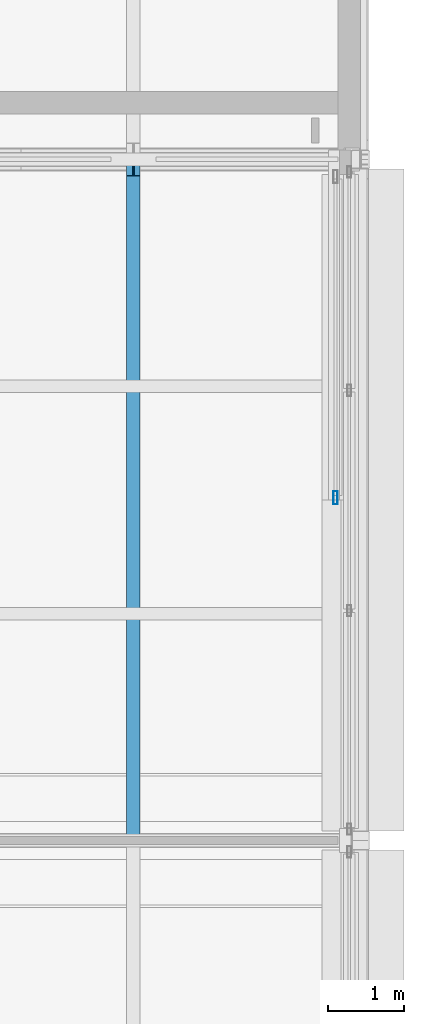
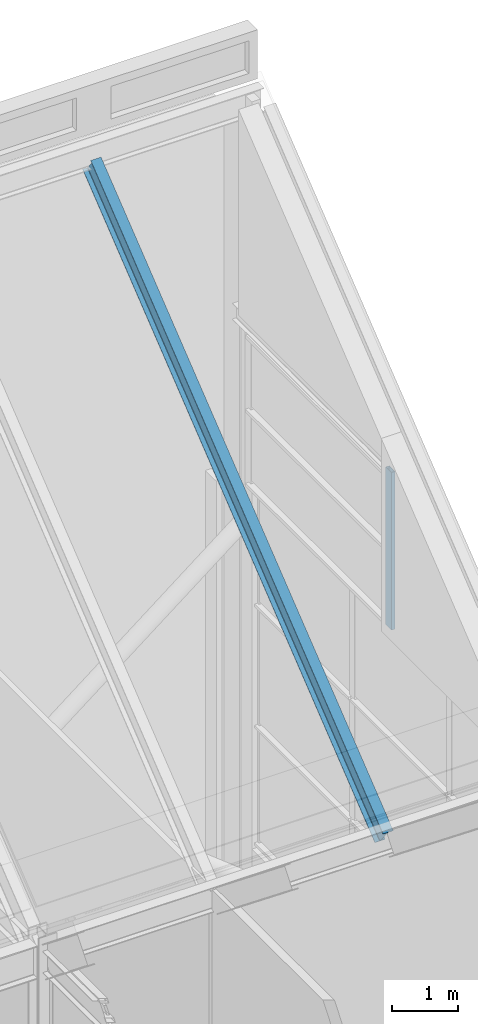
# One storey, part 86 of 144: 2 members, 1 element without a shape of its own.
"""IFC4 building model written with IfcOpenShell, lengths in metres."""

from ifc_helpers import new_model, si_unit, direction, frame, origin, origin_2d, place, context, subcontext, project, spatial, hollow_rectangle, i_section, extrude, material, layer, layer_set, material_profile, profile_set, type_object, element, aggregate, save


model = new_model("IFC4")

# Units and contexts
model_context = context("Model", 3, precision=1e-05, world=origin(), true_north=direction((0.0, 1.0)))
body_context = subcontext(model_context, "Body", "Model", "MODEL_VIEW")
ifc_project = project(units=[si_unit("LENGTHUNIT", "METRE"), si_unit("AREAUNIT", "SQUARE_METRE"), si_unit("VOLUMEUNIT", "CUBIC_METRE"), si_unit("PLANEANGLEUNIT", "RADIAN"), si_unit("MASSUNIT", "GRAM", prefix="KILO")], contexts=[model_context])

# Site, building, storey
site_placement = place(None, origin())
site = spatial("IfcSite", under=ifc_project, at=site_placement, CompositionType="ELEMENT")
building_placement = place(site_placement, origin())
building = spatial("IfcBuilding", under=site, at=building_placement, Name="Shorebreak Coast Museum", CompositionType="ELEMENT")
storey_placement = place(building_placement, frame((0.0, 0.0, 36.0)))
storey = spatial("IfcBuildingStorey", under=building, at=storey_placement, Name="L06", CompositionType="ELEMENT", Elevation=36.0)

# Member
ifc_material_1 = material(Name="Steel Grade 300", Category="steel")
ifc_material_profile_1 = material_profile(ifc_material_1, i_section(OverallWidth=0.177978515625, OverallDepth=0.402587890625, WebThickness=0.007568359375, FlangeThickness=0.010986328125, FilletRadius=0.011474609375, at=origin_2d()), Name="410UB53.7")
ifc_profile_set_1 = profile_set([ifc_material_profile_1], Name="Steel Grade 300")
member_type_1 = type_object("IfcMemberType", Name="Fold rafter 410UB53.7", PredefinedType="RAFTER", material=ifc_profile_set_1)
member_1_placement = place(storey_placement, frame((114.0, 80.905029296875, 14.610107421875), z_axis=(0.0, -0.780866698312, -0.624697686459), x_axis=(1.0, 0.0, 0.0)))
element("IfcMember", 1, at=member_1_placement, inside=storey, type_object=member_type_1, Name="Fold rafter FOLD-X line 3 21", PredefinedType="RAFTER", context=body_context, shape_type="SweptSolid", body=[
    extrude(i_section(OverallWidth=0.177978515625, OverallDepth=0.402587890625, WebThickness=0.007568359375, FlangeThickness=0.010986328125, FilletRadius=0.011474609375, at=origin_2d()), origin(), (0.0, 0.0, 1.0), 11.282470703125),
])

# Curtain wall, member
ifc_material_2 = material(Name="Aluminium", Category="aluminium")
ifc_layer = layer(ifc_material_2, 0.175048828125)
ifc_layer_set = layer_set([ifc_layer], Name="Aluminium")
curtain_wall_type = type_object("IfcCurtainWallType", Name="Gable curtain wall", PredefinedType="NOTDEFINED", material=ifc_layer_set)
curtain_wall_placement = place(storey_placement, origin())
curtain_wall = element("IfcCurtainWall", 2, at=curtain_wall_placement, inside=storey, type_object=curtain_wall_type, Name="Gable glazing FOLD-X-117-2", PredefinedType="NOTDEFINED")
ifc_material_3 = material(Name="Aluminium", Category="aluminium")
ifc_material_profile_2 = material_profile(ifc_material_3, hollow_rectangle(XDim=0.06005859375, YDim=0.175048828125, WallThickness=0.00390625, at=origin_2d()), Name="AL 175x60 RHS")
ifc_profile_set_2 = profile_set([ifc_material_profile_2], Name="Aluminium")
member_type_2 = type_object("IfcMemberType", Name="Gable mullion 60 x 175", PredefinedType="MULLION", material=ifc_profile_set_2)
member_2_placement = place(storey_placement, frame((116.66943359375, 76.530029296875, 7.800048828125), z_axis=(0.0, 0.0, 1.0), x_axis=(-1.0, 0.0, 0.0)))
member_2 = element("IfcMember", 3, at=member_2_placement, type_object=member_type_2, Name="CW9 mullion 1", PredefinedType="MULLION", context=body_context, shape_type="SweptSolid", body=[
    extrude(hollow_rectangle(XDim=0.06005859375, YDim=0.175048828125, WallThickness=0.00390625, at=origin_2d()), origin(), (0.0, 0.0, 1.0), 2.90185546875),
])
aggregate(curtain_wall, [member_2])

save(model, "model.ifc")
